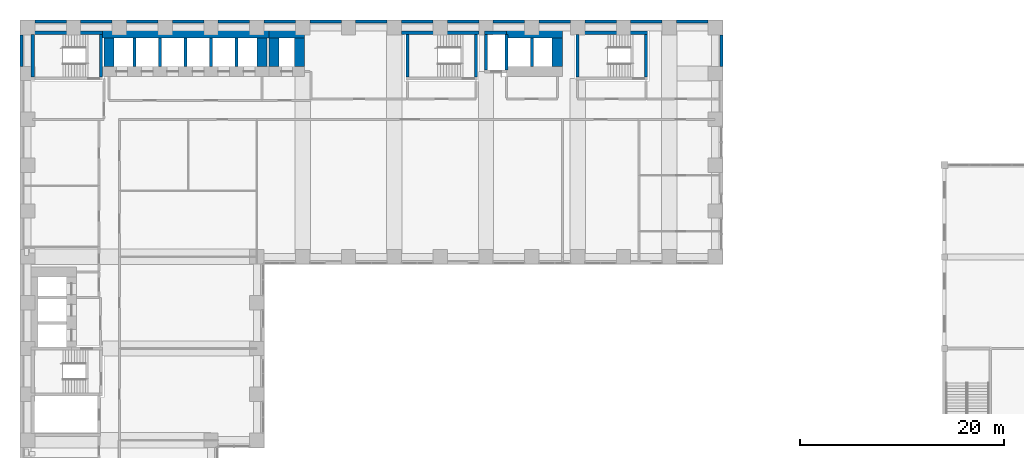
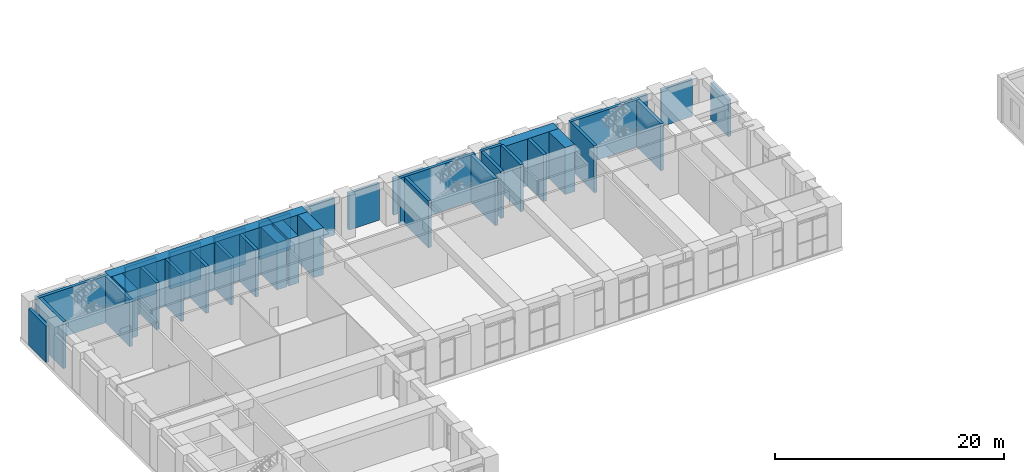
# One storey, part 24 of 34: 43 walls.
"""IFC4 building model written with IfcOpenShell, lengths in metres."""

from ifc_helpers import new_model, si_unit, direction, frame, frame_2d, origin, place, context, subcontext, project, spatial, rectangle, extrude, material, layer, layer_set, type_object, element, save


model = new_model("IFC4")

# Units and contexts
model_context = context("Model", 3, precision=1e-05, world=origin(), true_north=direction((0.0, 1.0)))
body_context = subcontext(model_context, "Body", "Model", "MODEL_VIEW")
ifc_project = project(units=[si_unit("LENGTHUNIT", "METRE"), si_unit("AREAUNIT", "SQUARE_METRE"), si_unit("VOLUMEUNIT", "CUBIC_METRE"), si_unit("PLANEANGLEUNIT", "RADIAN"), si_unit("MASSUNIT", "GRAM", prefix="KILO")], contexts=[model_context])

# Site, building, storey
site_placement = place(None, origin())
site = spatial("IfcSite", under=ifc_project, at=site_placement, CompositionType="ELEMENT")
building_placement = place(site_placement, origin())
building = spatial("IfcBuilding", under=site, at=building_placement, Name="Firuza Court", CompositionType="ELEMENT")
storey_placement = place(building_placement, frame((0.0, 0.0, 14.0)))
storey = spatial("IfcBuildingStorey", under=building, at=storey_placement, Name="L02", CompositionType="ELEMENT", Elevation=14.0)

# Walls
ifc_material_1 = material(Name="Concrete C60/75", Category="concrete")
ifc_layer_1 = layer(ifc_material_1, 1.0)
ifc_layer_set_1 = layer_set([ifc_layer_1], Name="Concrete C60/75")
wall_type_1 = type_object("IfcWallType", Name="Core wall 1000 C60/75", PredefinedType="SHEAR", material=ifc_layer_set_1)
wall_1_placement = place(storey_placement, frame((7.35009765625, 58.0, -0.39990234375), z_axis=(0.0, 0.0, 1.0), x_axis=(1.0, 0.0, 0.0)))
element("IfcWall", 1, at=wall_1_placement, inside=storey, type_object=wall_type_1, Name="Core wall lift shaft L02", PredefinedType="SHEAR", context=body_context, shape_type="SweptSolid", body=[
    extrude(rectangle(XDim=16.349853515625, YDim=1.0, at=frame_2d((8.1748046875, 0.0))), origin(), (0.0, 0.0, 1.0), 5.0),
])
for number, where, z_axis, x_axis, name in (
    (2, (8.0, 54.699951171875, -0.39990234375), (0.0, 0.0, 1.0), (0.0, 1.0, 0.0), "Core wall lift shaft L02"),
    (3, (23.0, 54.699951171875, -0.39990234375), (0.0, 0.0, 1.0), (0.0, 1.0, 0.0), "Core wall lift shaft L02"),
):
    element("IfcWall", number, at=place(storey_placement, frame(where, z_axis=z_axis, x_axis=x_axis)), inside=storey, type_object=wall_type_1, Name=name, PredefinedType="SHEAR", context=body_context, shape_type="SweptSolid", body=[
        extrude(rectangle(XDim=2.800048828125, YDim=1.0, at=frame_2d((1.39990234375, 0.0))), origin(), (0.0, 0.0, 1.0), 5.0),
    ])
wall_2_placement = place(storey_placement, frame((23.699951171875, 58.0, -0.39990234375), z_axis=(0.0, 0.0, 1.0), x_axis=(1.0, 0.0, 0.0)))
element("IfcWall", 4, at=wall_2_placement, inside=storey, type_object=wall_type_1, Name="Core wall lift shaft L02", PredefinedType="SHEAR", context=body_context, shape_type="SweptSolid", body=[
    extrude(rectangle(XDim=3.5, YDim=1.0, at=frame_2d((1.75, 0.0))), origin(), (0.0, 0.0, 1.0), 5.0),
])
for number, where, z_axis, x_axis, name in (
    (5, (24.199951171875, 54.699951171875, -0.39990234375), (0.0, 0.0, 1.0), (0.0, 1.0, 0.0), "Core wall lift shaft L02"),
    (6, (26.699951171875, 54.699951171875, -0.39990234375), (0.0, 0.0, 1.0), (0.0, 1.0, 0.0), "Core wall lift shaft L02"),
):
    element("IfcWall", number, at=place(storey_placement, frame(where, z_axis=z_axis, x_axis=x_axis)), inside=storey, type_object=wall_type_1, Name=name, PredefinedType="SHEAR", context=body_context, shape_type="SweptSolid", body=[
        extrude(rectangle(XDim=2.800048828125, YDim=1.0, at=frame_2d((1.39990234375, 0.0))), origin(), (0.0, 0.0, 1.0), 5.0),
    ])
wall_3_placement = place(storey_placement, frame((47.0, 58.0, -0.39990234375), z_axis=(0.0, 0.0, 1.0), x_axis=(1.0, 0.0, 0.0)))
element("IfcWall", 7, at=wall_3_placement, inside=storey, type_object=wall_type_1, Name="Core wall lift shaft L02", PredefinedType="SHEAR", context=body_context, shape_type="SweptSolid", body=[
    extrude(rectangle(XDim=5.5, YDim=1.0, at=frame_2d((2.75, 0.0))), origin(), (0.0, 0.0, 1.0), 5.0),
])
wall_4_placement = place(storey_placement, frame((52.0, 54.699951171875, -0.39990234375), z_axis=(0.0, 0.0, 1.0), x_axis=(0.0, 1.0, 0.0)))
element("IfcWall", 8, at=wall_4_placement, inside=storey, type_object=wall_type_1, Name="Core wall lift shaft L02", PredefinedType="SHEAR", context=body_context, shape_type="SweptSolid", body=[
    extrude(rectangle(XDim=2.800048828125, YDim=1.0, at=frame_2d((1.39990234375, 0.0))), origin(), (0.0, 0.0, 1.0), 5.0),
])
ifc_layer_2 = layer(ifc_material_1, 0.300048828125)
ifc_layer_set_2 = layer_set([ifc_layer_2], Name="Concrete C60/75")
wall_type_2 = type_object("IfcWallType", Name="Core wall 300 C60/75", PredefinedType="SHEAR", material=ifc_layer_set_2)
wall_5_placement = place(storey_placement, frame((0.35009765625, 58.0, -0.39990234375), z_axis=(0.0, 0.0, 1.0), x_axis=(1.0, 0.0, 0.0)))
element("IfcWall", 9, at=wall_5_placement, inside=storey, type_object=wall_type_2, Name="Core wall stair L02", PredefinedType="SHEAR", context=body_context, shape_type="SweptSolid", body=[
    extrude(rectangle(XDim=7.0, YDim=0.300048828125, at=frame_2d((3.5, 0.0))), origin(), (0.0, 0.0, 1.0), 5.0),
])
for number, where, z_axis, x_axis, name in (
    (10, (0.5, 53.64990234375, -0.39990234375), (0.0, 0.0, 1.0), (0.0, 1.0, 0.0), "Core wall stair L02"),
    (11, (7.199951171875, 53.64990234375, -0.39990234375), (0.0, 0.0, 1.0), (0.0, 1.0, 0.0), "Core wall stair L02"),
):
    element("IfcWall", number, at=place(storey_placement, frame(where, z_axis=z_axis, x_axis=x_axis)), inside=storey, type_object=wall_type_2, Name=name, PredefinedType="SHEAR", context=body_context, shape_type="SweptSolid", body=[
        extrude(rectangle(XDim=4.2001953125, YDim=0.300048828125, at=frame_2d((2.10009765625, 0.0))), origin(), (0.0, 0.0, 1.0), 5.0),
    ])
for number, where, z_axis, x_axis, name in (
    (12, (10.5, 54.699951171875, -0.39990234375), (0.0, 0.0, 1.0), (0.0, 1.0, 0.0), "Core wall lift shaft L02"),
    (13, (13.0, 54.699951171875, -0.39990234375), (0.0, 0.0, 1.0), (0.0, 1.0, 0.0), "Core wall lift shaft L02"),
    (14, (15.5, 54.699951171875, -0.39990234375), (0.0, 0.0, 1.0), (0.0, 1.0, 0.0), "Core wall lift shaft L02"),
    (15, (18.0, 54.699951171875, -0.39990234375), (0.0, 0.0, 1.0), (0.0, 1.0, 0.0), "Core wall lift shaft L02"),
    (16, (20.5, 54.699951171875, -0.39990234375), (0.0, 0.0, 1.0), (0.0, 1.0, 0.0), "Core wall lift shaft L02"),
):
    element("IfcWall", number, at=place(storey_placement, frame(where, z_axis=z_axis, x_axis=x_axis)), inside=storey, type_object=wall_type_2, Name=name, PredefinedType="SHEAR", context=body_context, shape_type="SweptSolid", body=[
        extrude(rectangle(XDim=2.800048828125, YDim=0.300048828125, at=frame_2d((1.39990234375, 0.0))), origin(), (0.0, 0.0, 1.0), 5.0),
    ])
wall_6_placement = place(storey_placement, frame((36.699951171875, 58.0, -0.39990234375), z_axis=(0.0, 0.0, 1.0), x_axis=(1.0, 0.0, 0.0)))
element("IfcWall", 17, at=wall_6_placement, inside=storey, type_object=wall_type_2, Name="Core wall stair L02", PredefinedType="SHEAR", context=body_context, shape_type="SweptSolid", body=[
    extrude(rectangle(XDim=7.60009765625, YDim=0.300048828125, at=frame_2d((3.800048828125, 0.0))), origin(), (0.0, 0.0, 1.0), 5.0),
])
for number, where, z_axis, x_axis, name in (
    (18, (37.300048828125, 53.64990234375, -0.39990234375), (0.0, 0.0, 1.0), (0.0, 1.0, 0.0), "Core wall stair L02"),
    (19, (44.0, 53.64990234375, -0.39990234375), (0.0, 0.0, 1.0), (0.0, 1.0, 0.0), "Core wall stair L02"),
):
    element("IfcWall", number, at=place(storey_placement, frame(where, z_axis=z_axis, x_axis=x_axis)), inside=storey, type_object=wall_type_2, Name=name, PredefinedType="SHEAR", context=body_context, shape_type="SweptSolid", body=[
        extrude(rectangle(XDim=4.2001953125, YDim=0.300048828125, at=frame_2d((2.10009765625, 0.0))), origin(), (0.0, 0.0, 1.0), 5.0),
    ])
wall_7_placement = place(storey_placement, frame((44.85009765625, 58.0, -0.39990234375), z_axis=(0.0, 0.0, 1.0), x_axis=(1.0, 0.0, 0.0)))
element("IfcWall", 20, at=wall_7_placement, inside=storey, type_object=wall_type_2, Name="Core wall riser L02", PredefinedType="SHEAR", context=body_context, shape_type="SweptSolid", body=[
    extrude(rectangle(XDim=2.14990234375, YDim=0.300048828125, at=frame_2d((1.074951171875, 0.0))), origin(), (0.0, 0.0, 1.0), 5.0),
])
for number, where, z_axis, x_axis, name in (
    (21, (45.0, 54.35009765625, -0.39990234375), (0.0, 0.0, 1.0), (0.0, 1.0, 0.0), "Core wall riser L02"),
    (22, (47.0, 54.35009765625, -0.39990234375), (0.0, 0.0, 1.0), (0.0, 1.0, 0.0), "Core wall lift shaft L02"),
):
    element("IfcWall", number, at=place(storey_placement, frame(where, z_axis=z_axis, x_axis=x_axis)), inside=storey, type_object=wall_type_2, Name=name, PredefinedType="SHEAR", context=body_context, shape_type="SweptSolid", body=[
        extrude(rectangle(XDim=3.5, YDim=0.300048828125, at=frame_2d((1.75, 0.0))), origin(), (0.0, 0.0, 1.0), 5.0),
    ])
wall_8_placement = place(storey_placement, frame((49.5, 54.699951171875, -0.39990234375), z_axis=(0.0, 0.0, 1.0), x_axis=(0.0, 1.0, 0.0)))
element("IfcWall", 23, at=wall_8_placement, inside=storey, type_object=wall_type_2, Name="Core wall lift shaft L02", PredefinedType="SHEAR", context=body_context, shape_type="SweptSolid", body=[
    extrude(rectangle(XDim=2.800048828125, YDim=0.300048828125, at=frame_2d((1.39990234375, 0.0))), origin(), (0.0, 0.0, 1.0), 5.0),
])
wall_9_placement = place(storey_placement, frame((53.85009765625, 58.0, -0.39990234375), z_axis=(0.0, 0.0, 1.0), x_axis=(1.0, 0.0, 0.0)))
element("IfcWall", 24, at=wall_9_placement, inside=storey, type_object=wall_type_2, Name="Core wall stair L02", PredefinedType="SHEAR", context=body_context, shape_type="SweptSolid", body=[
    extrude(rectangle(XDim=7.0, YDim=0.300048828125, at=frame_2d((3.5, 0.0))), origin(), (0.0, 0.0, 1.0), 5.0),
])
for number, where, z_axis, x_axis, name in (
    (25, (54.0, 53.64990234375, -0.39990234375), (0.0, 0.0, 1.0), (0.0, 1.0, 0.0), "Core wall stair L02"),
    (26, (60.699951171875, 53.64990234375, -0.39990234375), (0.0, 0.0, 1.0), (0.0, 1.0, 0.0), "Core wall stair L02"),
):
    element("IfcWall", number, at=place(storey_placement, frame(where, z_axis=z_axis, x_axis=x_axis)), inside=storey, type_object=wall_type_2, Name=name, PredefinedType="SHEAR", context=body_context, shape_type="SweptSolid", body=[
        extrude(rectangle(XDim=4.2001953125, YDim=0.300048828125, at=frame_2d((2.10009765625, 0.0))), origin(), (0.0, 0.0, 1.0), 5.0),
    ])
ifc_material_2 = material(Name="Ceramic tile", Category="ceramic")
ifc_layer_3 = layer(ifc_material_2, 0.02001953125)
ifc_material_3 = material(Name="Mineral wool insulation", Category="insulation")
ifc_layer_4 = layer(ifc_material_3, 0.1298828125)
ifc_material_4 = material(Name="Concrete C40/50 precast", Category="concrete")
ifc_layer_5 = layer(ifc_material_4, 0.14990234375)
ifc_layer_set_3 = layer_set([ifc_layer_3, ifc_layer_4, ifc_layer_5], Name="Concrete C40/50 precast")
wall_type_3 = type_object("IfcWallType", Name="Precast spandrel wall with turquoise TILE PANEL face 300", PredefinedType="STANDARD", material=ifc_layer_set_3)
for number, where, z_axis, x_axis, name in (
    (27, (68.10009765625, 54.699951171875, 0.0), (0.0, 0.0, 1.0), (0.0, 1.0, 0.0), "Facade wall L02 E"),
    (28, (66.800048828125, 59.10009765625, 0.0), (0.0, 0.0, 1.0), (-1.0, 0.0, 0.0), "Facade wall L02 N"),
    (29, (62.300048828125, 59.10009765625, 0.0), (0.0, 0.0, 1.0), (-1.0, 0.0, 0.0), "Facade wall L02 N"),
    (30, (57.800048828125, 59.10009765625, 0.0), (0.0, 0.0, 1.0), (-1.0, 0.0, 0.0), "Facade wall L02 N"),
    (31, (53.300048828125, 59.10009765625, 0.0), (0.0, 0.0, 1.0), (-1.0, 0.0, 0.0), "Facade wall L02 N"),
    (32, (48.800048828125, 59.10009765625, 0.0), (0.0, 0.0, 1.0), (-1.0, 0.0, 0.0), "Facade wall L02 N"),
    (33, (44.300048828125, 59.10009765625, 0.0), (0.0, 0.0, 1.0), (-1.0, 0.0, 0.0), "Facade wall L02 N"),
    (34, (39.800048828125, 59.10009765625, 0.0), (0.0, 0.0, 1.0), (-1.0, 0.0, 0.0), "Facade wall L02 N"),
    (35, (35.300048828125, 59.10009765625, 0.0), (0.0, 0.0, 1.0), (-1.0, 0.0, 0.0), "Facade wall L02 N"),
    (36, (30.800048828125, 59.10009765625, 0.0), (0.0, 0.0, 1.0), (-1.0, 0.0, 0.0), "Facade wall L02 N"),
    (37, (26.300048828125, 59.10009765625, 0.0), (0.0, 0.0, 1.0), (-1.0, 0.0, 0.0), "Facade wall L02 N"),
    (38, (21.800048828125, 59.10009765625, 0.0), (0.0, 0.0, 1.0), (-1.0, 0.0, 0.0), "Facade wall L02 N"),
    (39, (17.300048828125, 59.10009765625, 0.0), (0.0, 0.0, 1.0), (-1.0, 0.0, 0.0), "Facade wall L02 N"),
    (40, (12.800048828125, 59.10009765625, 0.0), (0.0, 0.0, 1.0), (-1.0, 0.0, 0.0), "Facade wall L02 N"),
    (41, (8.300048828125, 59.10009765625, 0.0), (0.0, 0.0, 1.0), (-1.0, 0.0, 0.0), "Facade wall L02 N"),
    (42, (3.800048828125, 59.10009765625, 0.0), (0.0, 0.0, 1.0), (-1.0, 0.0, 0.0), "Facade wall L02 N"),
    (43, (-0.60009765625, 57.800048828125, 0.0), (0.0, 0.0, 1.0), (0.0, -1.0, 0.0), "Facade wall L02 W"),
):
    element("IfcWall", number, at=place(storey_placement, frame(where, z_axis=z_axis, x_axis=x_axis)), inside=storey, type_object=wall_type_3, Name=name, PredefinedType="STANDARD", context=body_context, shape_type="SweptSolid", body=[
        extrude(rectangle(XDim=3.10009765625, YDim=0.300048828125, at=frame_2d((1.550048828125, 0.0))), origin(), (0.0, 0.0, 1.0), 3.89990234375),
    ])

save(model, "model.ifc")
